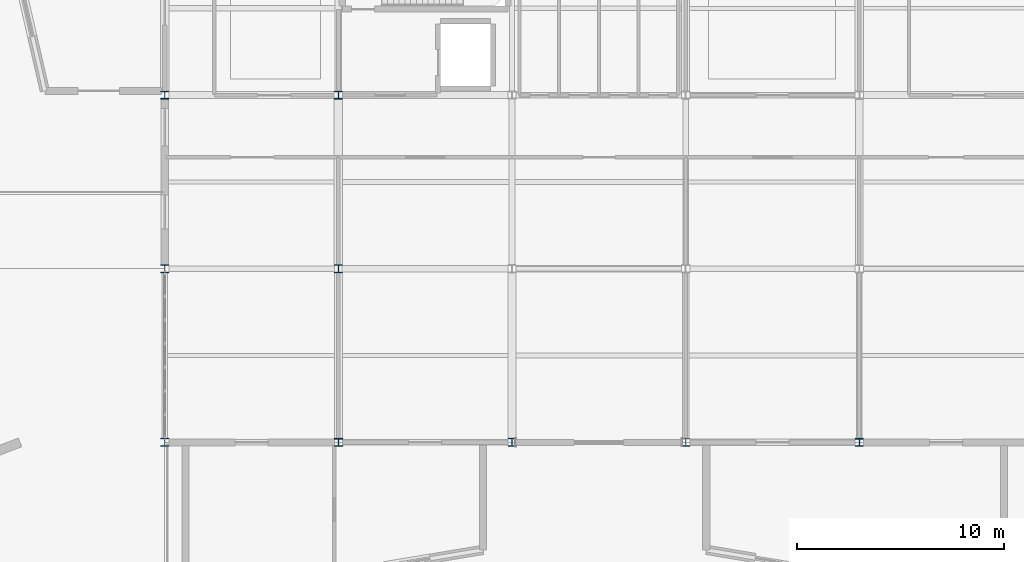
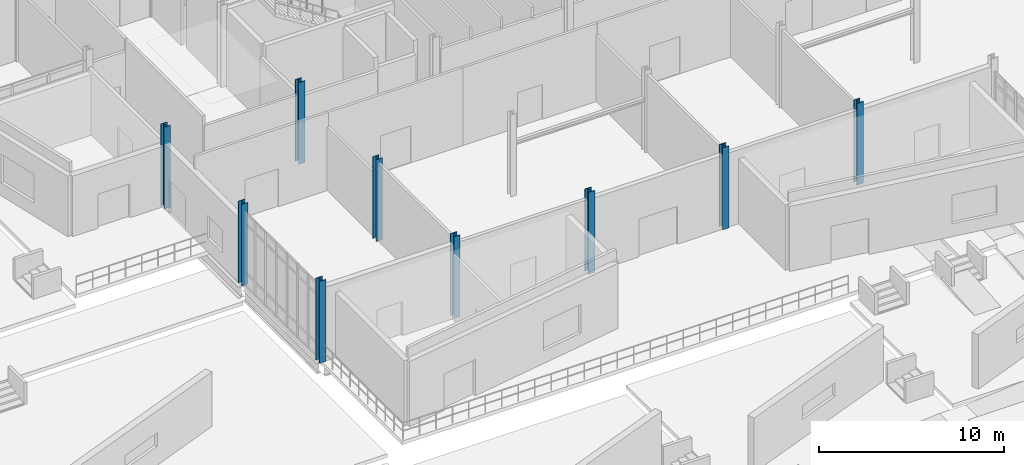
# One storey, part 1 of 229: 9 columns.
"""IFC4 building model written with IfcOpenShell, lengths in metres."""

import ifcopenshell
import ifcopenshell.guid

model = None  # the IFC model being written
_history = None  # IfcOwnerHistory: only IFC2X3 demands one
_inside = {}  # id of a spatial element -> (the spatial element, [elements in it])
_under = {}  # id of a project, library or spatial element -> (it, [spatial elements below it])
_declared = {}  # id of a project -> (the project, [libraries it declares])
_typed = {}  # id of a type object -> (the type object, [elements of that type])
_made_of = {}  # id of a material, layer set ... -> (it, [elements and type objects made of it])


def new_model(schema):
    """Start an empty IFC model of exactly this schema.

    Asked for "IFC4X3", IfcOpenShell would pick the latest addendum, in which some entities
    have other attributes; the version numbers below select the first issue.
    IFC2X3 requires an IfcOwnerHistory on every rooted entity: one is made here for all.
    """
    global model, _history
    if schema == "IFC4X3":
        model = ifcopenshell.file(schema_version=(4, 3, 0, 0))
    else:
        model = ifcopenshell.file(schema=schema)
    _inside.clear()
    _under.clear()
    _declared.clear()
    _typed.clear()
    _made_of.clear()
    _history = None
    if model.schema == "IFC2X3":
        org = make("IfcOrganization", Name="unknown")
        user = make(
            "IfcPersonAndOrganization",
            ThePerson=make("IfcPerson", FamilyName="unknown"),
            TheOrganization=org,
        )
        app = make(
            "IfcApplication",
            ApplicationDeveloper=org,
            Version="unknown",
            ApplicationFullName="unknown",
            ApplicationIdentifier="unknown",
        )
        _history = make(
            "IfcOwnerHistory",
            OwningUser=user,
            OwningApplication=app,
            ChangeAction="ADDED",
            CreationDate=0,
        )
    return model


def make(cls, **values):
    """One entity of the class cls with the attributes given. An attribute that is None is left unset."""
    return model.create_entity(
        cls, **{name: value for name, value in values.items() if value is not None}
    )


def rooted(cls, **values):
    """An entity with a GlobalId (a new one), such as an element, a storey or a relation."""
    return make(cls, GlobalId=ifcopenshell.guid.new(), OwnerHistory=_history, **values)


def si_unit(unit_type, name, prefix=None):
    """IfcSIUnit, for example si_unit("LENGTHUNIT", "METRE", prefix="MILLI")."""
    return make("IfcSIUnit", UnitType=unit_type, Prefix=prefix, Name=name)


def assignment(units):
    """IfcUnitAssignment: the units of a project."""
    return None if units is None else make("IfcUnitAssignment", Units=units)


def point(xyz):
    """IfcCartesianPoint."""
    return None if xyz is None else make("IfcCartesianPoint", Coordinates=xyz)


def direction(xyz):
    """IfcDirection."""
    return None if xyz is None else make("IfcDirection", DirectionRatios=xyz)


def frame(location, z_axis=None, x_axis=None):
    """IfcAxis2Placement3D, a coordinate frame: its origin and axes. An axis left out is left unset."""
    return make(
        "IfcAxis2Placement3D",
        Location=point(location),
        Axis=direction(z_axis),
        RefDirection=direction(x_axis),
    )


def frame_2d(location, x_axis=None):
    """IfcAxis2Placement2D, a coordinate frame in the plane: its origin and x axis."""
    return make(
        "IfcAxis2Placement2D", Location=point(location), RefDirection=direction(x_axis)
    )


def origin():
    """The frame at (0, 0, 0) with its axes left unset."""
    return frame((0.0, 0.0, 0.0))


def origin_2d():
    """The frame at (0, 0) in the plane with its x axis left unset."""
    return frame_2d((0.0, 0.0))


def place(relative_to, where):
    """IfcLocalPlacement: puts the frame where relative to a parent placement (None: the world)."""
    return make(
        "IfcLocalPlacement", PlacementRelTo=relative_to, RelativePlacement=where
    )


def context(
    kind, dimensions, precision=None, world=None, true_north=None, identifier=None
):
    """IfcGeometricRepresentationContext, for example the 3D "Model" context."""
    return make(
        "IfcGeometricRepresentationContext",
        ContextIdentifier=identifier,
        ContextType=kind,
        CoordinateSpaceDimension=dimensions,
        Precision=precision,
        WorldCoordinateSystem=world,
        TrueNorth=true_north,
    )


def subcontext(parent, identifier, kind, view, scale=None):
    """IfcGeometricRepresentationSubContext, for example "Body" below "Model"."""
    return make(
        "IfcGeometricRepresentationSubContext",
        ContextIdentifier=identifier,
        ContextType=kind,
        ParentContext=parent,
        TargetScale=scale,
        TargetView=view,
    )


def project(units=None, contexts=None):
    """IfcProject with its units and contexts."""
    return rooted(
        "IfcProject",
        Name="project",
        RepresentationContexts=contexts,
        UnitsInContext=assignment(units),
    )


def spatial(cls, under=None, at=None, **own):
    """A site, building, storey or space (cls), placed at a placement, below another one or the project."""
    s = rooted(cls, ObjectPlacement=at, **own)
    if under is not None:
        _under.setdefault(under.id(), (under, []))[1].append(s)
    return s


def profile(cls, at=None, kind="AREA", **sizes):
    """A parametric profile (cls). Its sizes go by their IFC names, for example OverallWidth=200.0."""
    return make(cls, ProfileType=kind, Position=at, **sizes)


def i_section(**sizes):
    """IfcIShapeProfileDef."""
    return profile("IfcIShapeProfileDef", **sizes)


def extrude(swept, where, along, depth):
    """IfcExtrudedAreaSolid: the profile swept, set in the frame where, extruded along a direction by depth."""
    return make(
        "IfcExtrudedAreaSolid",
        SweptArea=swept,
        Position=where,
        ExtrudedDirection=direction(along),
        Depth=depth,
    )


def shape(context_of_items, identifier, shape_type, items):
    """IfcShapeRepresentation: the items that make up one representation, for example the "Body"."""
    return make(
        "IfcShapeRepresentation",
        ContextOfItems=context_of_items,
        RepresentationIdentifier=identifier,
        RepresentationType=shape_type,
        Items=items,
    )


def material(Name=None, Category=None):
    """IfcMaterial."""
    return make("IfcMaterial", Name=Name, Category=Category)


def material_profile(
    of_material, cross_section, Name=None, Category=None, Priority=None
):
    """IfcMaterialProfile: a cross section and its material."""
    return make(
        "IfcMaterialProfile",
        Name=Name,
        Material=of_material,
        Profile=cross_section,
        Priority=Priority,
        Category=Category,
    )


def profile_set(profiles, Name=None, composite=None):
    """IfcMaterialProfileSet."""
    return make(
        "IfcMaterialProfileSet",
        Name=Name,
        MaterialProfiles=profiles,
        CompositeProfile=composite,
    )


def made_of(thing, what):
    """Note that an element or type object is made of a material, layer set ...; save() writes the relation."""
    if what is not None:
        _made_of.setdefault(what.id(), (what, []))[1].append(thing)
    return thing


def type_object(cls, material=None, **own):
    """A type object (cls), such as IfcWallType, which elements share."""
    return made_of(rooted(cls, **own), material)


def element(
    cls,
    number,
    at=None,
    inside=None,
    cuts=None,
    type_object=None,
    material=None,
    context=None,
    identifier="Body",
    shape_type=None,
    held_by="IfcProductDefinitionShape",
    body=None,
    shapes=None,
    **own,
):
    """One element of the class cls, such as IfcWall. Its Tag is "e" and its number.

    at: its placement. inside: the storey or other place that contains it. cuts: it is an
    opening in that element (IfcRelVoidsElement). A single representation is given by context,
    identifier, shape_type and body (its items); several are given by shapes. held_by: the class
    of the entity that holds the representations. save() writes the other relations.
    """
    e = rooted(cls, Tag="e%d" % number, ObjectPlacement=at, **own)
    if body is not None:
        shapes = [shape(context, identifier, shape_type, body)]
    if shapes is not None:
        e.Representation = make(held_by, Representations=shapes)
    if inside is not None:
        _inside.setdefault(inside.id(), (inside, []))[1].append(e)
    if cuts is not None:
        rooted(
            "IfcRelVoidsElement", RelatingBuildingElement=cuts, RelatedOpeningElement=e
        )
    if type_object is not None:
        _typed.setdefault(type_object.id(), (type_object, []))[1].append(e)
    return made_of(e, material)


def aggregate(whole, parts):
    """IfcRelAggregates: a whole, such as a stair, and the parts it consists of."""
    return rooted("IfcRelAggregates", RelatingObject=whole, RelatedObjects=parts)


def save(model, path):
    """Write the relations noted so far, then the file.

    IfcRelAggregates (storeys below a building ...), IfcRelContainedInSpatialStructure (elements
    in a storey), IfcRelDefinesByType, IfcRelAssociatesMaterial and IfcRelDeclares: one each for
    every whole, place, type object, material and project.
    """
    for whole, parts in _under.values():
        aggregate(whole, parts)
    for where, things in _inside.values():
        rooted(
            "IfcRelContainedInSpatialStructure",
            RelatedElements=things,
            RelatingStructure=where,
        )
    for kind, things in _typed.values():
        rooted("IfcRelDefinesByType", RelatedObjects=things, RelatingType=kind)
    for what, things in _made_of.values():
        rooted("IfcRelAssociatesMaterial", RelatedObjects=things, RelatingMaterial=what)
    for by, libraries in _declared.values():
        rooted("IfcRelDeclares", RelatingContext=by, RelatedDefinitions=libraries)
    model.write(path)


model = new_model("IFC4")

# Units and contexts
model_context = context("Model", 3, precision=1e-05, world=origin(), true_north=direction((0.0, 1.0)))
body_context = subcontext(model_context, "Body", "Model", "MODEL_VIEW")
ifc_project = project(units=[si_unit("LENGTHUNIT", "METRE"), si_unit("AREAUNIT", "SQUARE_METRE"), si_unit("VOLUMEUNIT", "CUBIC_METRE"), si_unit("PLANEANGLEUNIT", "RADIAN"), si_unit("MASSUNIT", "GRAM", prefix="KILO")], contexts=[model_context])

# Site, building, storey
site_placement = place(None, origin())
site = spatial("IfcSite", under=ifc_project, at=site_placement, CompositionType="ELEMENT")
building_placement = place(site_placement, origin())
building = spatial("IfcBuilding", under=site, at=building_placement, Name="Calvrana Isthmian Art Gallery", CompositionType="ELEMENT")
storey_placement = place(building_placement, origin())
storey = spatial("IfcBuildingStorey", under=building, at=storey_placement, Name="L00", CompositionType="ELEMENT", Elevation=0.0)

# Columns
ifc_material = material(Name="Steel ASTM A992 Gr 50", Category="steel")
ifc_material_profile_1 = material_profile(ifc_material, i_section(OverallWidth=0.39404296875, OverallDepth=0.3759765625, WebThickness=0.017333984375, FlangeThickness=0.027587890625, FilletRadius=0.02490234375, at=origin_2d()), Name="W14X145")
ifc_profile_set_1 = profile_set([ifc_material_profile_1], Name="Steel ASTM A992 Gr 50")
column_type_1 = type_object("IfcColumnType", Name="COL-STL-W14X145", PredefinedType="COLUMN", material=ifc_profile_set_1)
column_1_placement = place(storey_placement, frame((30.0, 30.0, 0.0), z_axis=(0.0, 0.0, 1.0), x_axis=(1.0, 0.0, 0.0)))
element("IfcColumn", 1, at=column_1_placement, inside=storey, type_object=column_type_1, Name="Column 05/E L00", PredefinedType="COLUMN", context=body_context, shape_type="SweptSolid", body=[
    extrude(i_section(OverallWidth=0.39404296875, OverallDepth=0.3759765625, WebThickness=0.017333984375, FlangeThickness=0.027587890625, FilletRadius=0.02490234375, at=origin_2d()), origin(), (0.0, 0.0, 1.0), 5.39990234375),
])
ifc_material_profile_2 = material_profile(ifc_material, i_section(OverallWidth=0.39599609375, OverallDepth=0.381103515625, WebThickness=0.018798828125, FlangeThickness=0.0302734375, FilletRadius=0.02490234375, at=origin_2d()), Name="W14X159")
ifc_profile_set_2 = profile_set([ifc_material_profile_2], Name="Steel ASTM A992 Gr 50")
column_type_2 = type_object("IfcColumnType", Name="COL-STL-W14X159", PredefinedType="COLUMN", material=ifc_profile_set_2)
for number, where, z_axis, x_axis, name in (
    (2, (21.60009765625, 30.0, 0.0), (0.0, 0.0, 1.0), (1.0, 0.0, 0.0), "Column 04/E L00"),
    (3, (30.0, 38.39990234375, 0.0), (0.0, 0.0, 1.0), (1.0, 0.0, 0.0), "Column 05/F L00"),
):
    element("IfcColumn", number, at=place(storey_placement, frame(where, z_axis=z_axis, x_axis=x_axis)), inside=storey, type_object=column_type_2, Name=name, PredefinedType="COLUMN", context=body_context, shape_type="SweptSolid", body=[
        extrude(i_section(OverallWidth=0.39599609375, OverallDepth=0.381103515625, WebThickness=0.018798828125, FlangeThickness=0.0302734375, FilletRadius=0.02490234375, at=origin_2d()), origin(), (0.0, 0.0, 1.0), 5.39990234375),
    ])
ifc_material_profile_3 = material_profile(ifc_material, i_section(OverallWidth=0.39892578125, OverallDepth=0.385986328125, WebThickness=0.02099609375, FlangeThickness=0.033203125, FilletRadius=0.02490234375, at=origin_2d()), Name="W14X176")
ifc_profile_set_3 = profile_set([ifc_material_profile_3], Name="Steel ASTM A992 Gr 50")
column_type_3 = type_object("IfcColumnType", Name="COL-STL-W14X176", PredefinedType="COLUMN", material=ifc_profile_set_3)
for number, where, z_axis, x_axis, name in (
    (4, (21.60009765625, 38.39990234375, 0.0), (0.0, 0.0, 1.0), (1.0, 0.0, 0.0), "Column 04/F L00"),
    (5, (55.199951171875, 21.60009765625, 0.0), (0.0, 0.0, 1.0), (1.0, 0.0, 0.0), "Column 08/D L00"),
):
    element("IfcColumn", number, at=place(storey_placement, frame(where, z_axis=z_axis, x_axis=x_axis)), inside=storey, type_object=column_type_3, Name=name, PredefinedType="COLUMN", context=body_context, shape_type="SweptSolid", body=[
        extrude(i_section(OverallWidth=0.39892578125, OverallDepth=0.385986328125, WebThickness=0.02099609375, FlangeThickness=0.033203125, FilletRadius=0.02490234375, at=origin_2d()), origin(), (0.0, 0.0, 1.0), 5.39990234375),
    ])
ifc_material_profile_4 = material_profile(ifc_material, i_section(OverallWidth=0.39892578125, OverallDepth=0.39404296875, WebThickness=0.022705078125, FlangeThickness=0.03662109375, FilletRadius=0.02490234375, at=origin_2d()), Name="W14X193")
ifc_profile_set_4 = profile_set([ifc_material_profile_4], Name="Steel ASTM A992 Gr 50")
column_type_4 = type_object("IfcColumnType", Name="COL-STL-W14X193", PredefinedType="COLUMN", material=ifc_profile_set_4)
column_2_placement = place(storey_placement, frame((30.0, 21.60009765625, 0.0), z_axis=(0.0, 0.0, 1.0), x_axis=(1.0, 0.0, 0.0)))
element("IfcColumn", 6, at=column_2_placement, inside=storey, type_object=column_type_4, Name="Column 05/D L00", PredefinedType="COLUMN", context=body_context, shape_type="SweptSolid", body=[
    extrude(i_section(OverallWidth=0.39892578125, OverallDepth=0.39404296875, WebThickness=0.022705078125, FlangeThickness=0.03662109375, FilletRadius=0.02490234375, at=origin_2d()), origin(), (0.0, 0.0, 1.0), 5.39990234375),
])
ifc_material_profile_5 = material_profile(ifc_material, i_section(OverallWidth=0.40087890625, OverallDepth=0.39892578125, WebThickness=0.02490234375, FlangeThickness=0.03955078125, FilletRadius=0.02490234375, at=origin_2d()), Name="W14X211")
ifc_profile_set_5 = profile_set([ifc_material_profile_5], Name="Steel ASTM A992 Gr 50")
column_type_5 = type_object("IfcColumnType", Name="COL-STL-W14X211", PredefinedType="COLUMN", material=ifc_profile_set_5)
column_3_placement = place(storey_placement, frame((46.800048828125, 21.60009765625, 0.0), z_axis=(0.0, 0.0, 1.0), x_axis=(1.0, 0.0, 0.0)))
element("IfcColumn", 7, at=column_3_placement, inside=storey, type_object=column_type_5, Name="Column 07/D L00", PredefinedType="COLUMN", context=body_context, shape_type="SweptSolid", body=[
    extrude(i_section(OverallWidth=0.40087890625, OverallDepth=0.39892578125, WebThickness=0.02490234375, FlangeThickness=0.03955078125, FilletRadius=0.02490234375, at=origin_2d()), origin(), (0.0, 0.0, 1.0), 5.39990234375),
])
ifc_material_profile_6 = material_profile(ifc_material, i_section(OverallWidth=0.404052734375, OverallDepth=0.406005859375, WebThickness=0.027099609375, FlangeThickness=0.043701171875, FilletRadius=0.02490234375, at=origin_2d()), Name="W14X233")
ifc_profile_set_6 = profile_set([ifc_material_profile_6], Name="Steel ASTM A992 Gr 50")
column_type_6 = type_object("IfcColumnType", Name="COL-STL-W14X233", PredefinedType="COLUMN", material=ifc_profile_set_6)
column_4_placement = place(storey_placement, frame((21.60009765625, 21.60009765625, 0.0), z_axis=(0.0, 0.0, 1.0), x_axis=(1.0, 0.0, 0.0)))
element("IfcColumn", 8, at=column_4_placement, inside=storey, type_object=column_type_6, Name="Column 04/D L00", PredefinedType="COLUMN", context=body_context, shape_type="SweptSolid", body=[
    extrude(i_section(OverallWidth=0.404052734375, OverallDepth=0.406005859375, WebThickness=0.027099609375, FlangeThickness=0.043701171875, FilletRadius=0.02490234375, at=origin_2d()), origin(), (0.0, 0.0, 1.0), 5.39990234375),
])
ifc_material_profile_7 = material_profile(ifc_material, i_section(OverallWidth=0.406005859375, OverallDepth=0.4169921875, WebThickness=0.02978515625, FlangeThickness=0.048095703125, FilletRadius=0.02490234375, at=origin_2d()), Name="W14X257")
ifc_profile_set_7 = profile_set([ifc_material_profile_7], Name="Steel ASTM A992 Gr 50")
column_type_7 = type_object("IfcColumnType", Name="COL-STL-W14X257", PredefinedType="COLUMN", material=ifc_profile_set_7)
column_5_placement = place(storey_placement, frame((38.39990234375, 21.60009765625, 0.0), z_axis=(0.0, 0.0, 1.0), x_axis=(1.0, 0.0, 0.0)))
element("IfcColumn", 9, at=column_5_placement, inside=storey, type_object=column_type_7, Name="Column 06/D L00", PredefinedType="COLUMN", context=body_context, shape_type="SweptSolid", body=[
    extrude(i_section(OverallWidth=0.406005859375, OverallDepth=0.4169921875, WebThickness=0.02978515625, FlangeThickness=0.048095703125, FilletRadius=0.02490234375, at=origin_2d()), origin(), (0.0, 0.0, 1.0), 5.39990234375),
])

save(model, "model.ifc")
